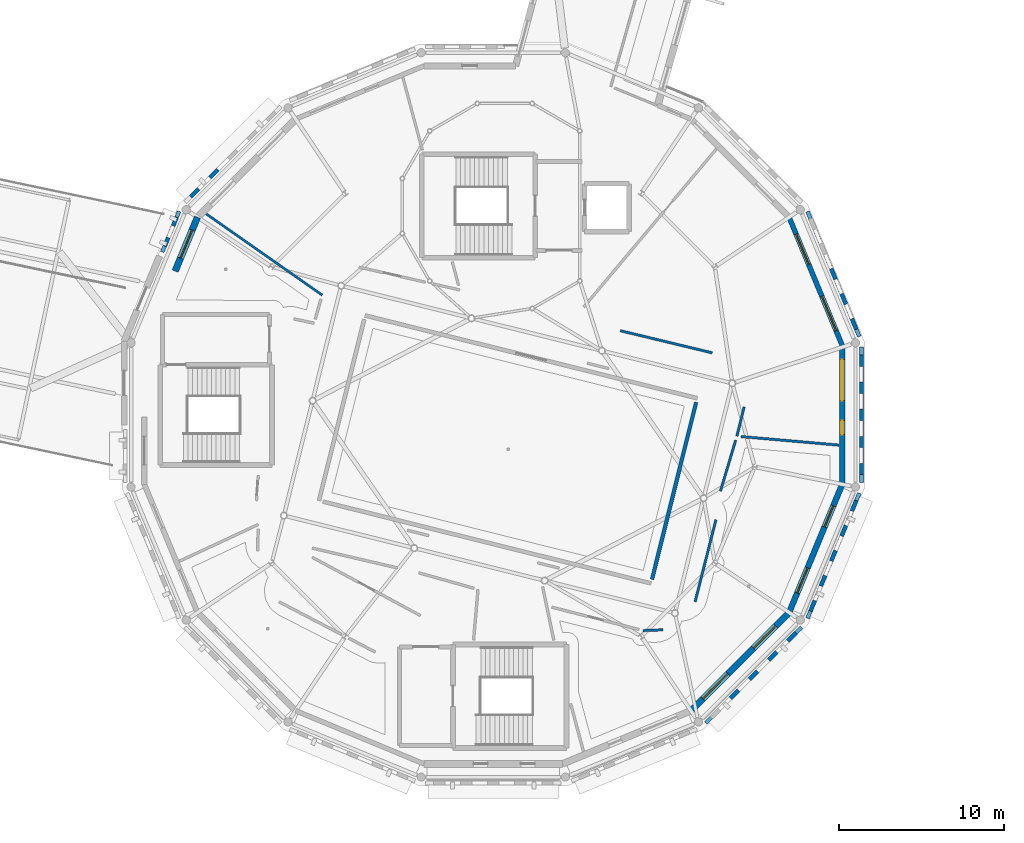
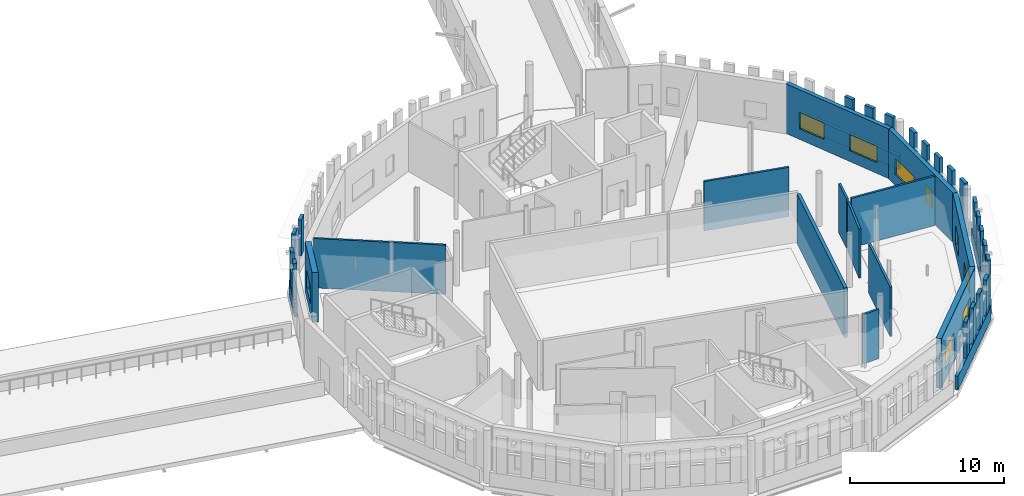
# One storey, part 65 of 90: 39 walls, 9 windows, 9 openings.
"""IFC4 building model written with IfcOpenShell, lengths in metres."""

from ifc_helpers import new_model, si_unit, direction, frame, frame_2d, origin, place, context, subcontext, project, spatial, rectangle, extrude, material, layer, layer_set, type_object, element, fill, save


model = new_model("IFC4")

# Units and contexts
model_context = context("Model", 3, precision=1e-05, world=origin(), true_north=direction((0.0, 1.0)))
body_context = subcontext(model_context, "Body", "Model", "MODEL_VIEW")
ifc_project = project(units=[si_unit("LENGTHUNIT", "METRE"), si_unit("AREAUNIT", "SQUARE_METRE"), si_unit("VOLUMEUNIT", "CUBIC_METRE"), si_unit("PLANEANGLEUNIT", "RADIAN"), si_unit("MASSUNIT", "GRAM", prefix="KILO")], contexts=[model_context])

# Site, building, storey
site_placement = place(None, origin())
site = spatial("IfcSite", under=ifc_project, at=site_placement, CompositionType="ELEMENT")
building_placement = place(site_placement, origin())
building = spatial("IfcBuilding", under=site, at=building_placement, Name="Wrenclough Park School", CompositionType="ELEMENT")
storey_placement = place(building_placement, frame((0.0, 0.0, 8.39990234375)))
storey = spatial("IfcBuildingStorey", under=building, at=storey_placement, Name="L02", CompositionType="ELEMENT", Elevation=8.39990234375)

# Walls
ifc_material_1 = material(Name="Perforated open-bond Staffordshire and Manchester brick screen pier", Category="masonry")
ifc_layer_1 = layer(ifc_material_1, 0.2451171875)
ifc_layer_set_1 = layer_set([ifc_layer_1], Name="Perforated open-bond Staffordshire and Manchester brick screen pier")
wall_type_1 = type_object("IfcWallType", Name="ENV-BS-PR245", PredefinedType="ELEMENTEDWALL", material=ifc_layer_set_1)
wall_1_placement = place(storey_placement, frame((177.566650390625, 31.703369140625, 1.090087890625), z_axis=(0.0, 0.0, 1.0), x_axis=(-0.382934147939, 0.92377564286, 0.0)))
element("IfcWall", 1, at=wall_1_placement, inside=storey, type_object=wall_type_1, Name="D1 L02 perforated brick screen pier 0387", PredefinedType="ELEMENTEDWALL", context=body_context, shape_type="SweptSolid", body=[
    extrude(rectangle(XDim=0.691162109375, YDim=0.2451171875, at=frame_2d((0.345703125, 0.0))), origin(), (0.0, 0.0, 1.0), 2.85009765625),
])
wall_2_placement = place(storey_placement, frame((176.936767578125, 33.22412109375, 1.090087890625), z_axis=(0.0, 0.0, 1.0), x_axis=(-0.382757564877, 0.923848822335, 0.0)))
element("IfcWall", 2, at=wall_2_placement, inside=storey, type_object=wall_type_1, Name="D1 L02 perforated brick screen pier 0388", PredefinedType="ELEMENTEDWALL", context=body_context, shape_type="SweptSolid", body=[
    extrude(rectangle(XDim=0.690673828125, YDim=0.2451171875, at=frame_2d((0.34521484375, 0.0))), origin(), (0.0, 0.0, 1.0), 2.85009765625),
])
for number, where, z_axis, x_axis, name in (
    (3, (176.306884765625, 34.74462890625, 1.090087890625), (0.0, 0.0, 1.0), (-0.38263262807, 0.923900574703, 0.0), "D1 L02 perforated brick screen pier 0389"),
    (4, (138.756591796875, 41.40380859375, 1.090087890625), (0.0, 0.0, 1.0), (-0.707106781187, -0.707106781187, 0.0), "D1 L02 perforated brick screen pier 0408"),
):
    element("IfcWall", number, at=place(storey_placement, frame(where, z_axis=z_axis, x_axis=x_axis)), inside=storey, type_object=wall_type_1, Name=name, PredefinedType="ELEMENTEDWALL", context=body_context, shape_type="SweptSolid", body=[
        extrude(rectangle(XDim=0.69091796875, YDim=0.2451171875, at=frame_2d((0.345458984375, 0.0))), origin(), (0.0, 0.0, 1.0), 2.85009765625),
    ])
wall_3_placement = place(storey_placement, frame((137.593017578125, 40.240234375, 1.090087890625), z_axis=(0.0, 0.0, 1.0), x_axis=(-0.707283403329, -0.706930114916, 0.0)))
element("IfcWall", 5, at=wall_3_placement, inside=storey, type_object=wall_type_1, Name="D1 L02 perforated brick screen pier 0409", PredefinedType="ELEMENTEDWALL", context=body_context, shape_type="SweptSolid", body=[
    extrude(rectangle(XDim=0.691162109375, YDim=0.2451171875, at=frame_2d((0.345703125, 0.0))), origin(), (0.0, 0.0, 1.0), 2.85009765625),
])
wall_4_placement = place(storey_placement, frame((136.251953125, 38.508056640625, 1.090087890625), z_axis=(0.0, 0.0, 1.0), x_axis=(-0.382634050621, -0.923899985553, 0.0)))
element("IfcWall", 6, at=wall_4_placement, inside=storey, type_object=wall_type_1, Name="D1 L02 perforated brick screen pier 0410", PredefinedType="ELEMENTEDWALL", context=body_context, shape_type="SweptSolid", body=[
    extrude(rectangle(XDim=0.560302734375, YDim=0.2451171875, at=frame_2d((0.2802734375, 0.0))), origin(), (0.0, 0.0, 1.0), 2.85009765625),
])
wall_5_placement = place(storey_placement, frame((135.741455078125, 37.275634765625, 1.090087890625), z_axis=(0.0, 0.0, 1.0), x_axis=(-0.382788170111, -0.92383614176, 0.0)))
element("IfcWall", 7, at=wall_5_placement, inside=storey, type_object=wall_type_1, Name="D1 L02 perforated brick screen pier 0411", PredefinedType="ELEMENTEDWALL", context=body_context, shape_type="SweptSolid", body=[
    extrude(rectangle(XDim=0.56005859375, YDim=0.2451171875, at=frame_2d((0.280029296875, 0.0))), origin(), (0.0, 0.0, 1.0), 2.85009765625),
])
wall_6_placement = place(storey_placement, frame((169.91552734375, 9.268310546875, 1.090087890625), z_axis=(0.0, 0.0, 1.0), x_axis=(0.707106781187, 0.707106781187, 0.0)))
element("IfcWall", 8, at=wall_6_placement, inside=storey, type_object=wall_type_1, Name="D1 L02 perforated brick screen pier 0440", PredefinedType="ELEMENTEDWALL", context=body_context, shape_type="SweptSolid", body=[
    extrude(rectangle(XDim=0.69091796875, YDim=0.2451171875, at=frame_2d((0.345458984375, 0.0))), origin(), (0.0, 0.0, 1.0), 2.85009765625),
])
wall_7_placement = place(storey_placement, frame((171.079345703125, 10.431884765625, 1.090087890625), z_axis=(0.0, 0.0, 1.0), x_axis=(0.707106781187, 0.707106781187, 0.0)))
element("IfcWall", 9, at=wall_7_placement, inside=storey, type_object=wall_type_1, Name="D1 L02 perforated brick screen pier 0441", PredefinedType="ELEMENTEDWALL", context=body_context, shape_type="SweptSolid", body=[
    extrude(rectangle(XDim=0.691162109375, YDim=0.2451171875, at=frame_2d((0.345703125, 0.0))), origin(), (0.0, 0.0, 1.0), 2.85009765625),
])
wall_8_placement = place(storey_placement, frame((172.2431640625, 11.595947265625, 1.090087890625), z_axis=(0.0, 0.0, 1.0), x_axis=(0.707106781187, 0.707106781187, 0.0)))
element("IfcWall", 10, at=wall_8_placement, inside=storey, type_object=wall_type_1, Name="D1 L02 perforated brick screen pier 0442", PredefinedType="ELEMENTEDWALL", context=body_context, shape_type="SweptSolid", body=[
    extrude(rectangle(XDim=0.69091796875, YDim=0.2451171875, at=frame_2d((0.345458984375, 0.0))), origin(), (0.0, 0.0, 1.0), 2.85009765625),
])
wall_9_placement = place(storey_placement, frame((173.406982421875, 12.759765625, 1.090087890625), z_axis=(0.0, 0.0, 1.0), x_axis=(0.707283403329, 0.706930114916, 0.0)))
element("IfcWall", 11, at=wall_9_placement, inside=storey, type_object=wall_type_1, Name="D1 L02 perforated brick screen pier 0443", PredefinedType="ELEMENTEDWALL", context=body_context, shape_type="SweptSolid", body=[
    extrude(rectangle(XDim=0.691162109375, YDim=0.2451171875, at=frame_2d((0.345703125, 0.0))), origin(), (0.0, 0.0, 1.0), 2.85009765625),
])
for number, where, z_axis, x_axis, name in (
    (12, (174.78271484375, 14.57568359375, 1.090087890625), (0.0, 0.0, 1.0), (0.38263262807, 0.923900574703, 0.0), "D1 L02 perforated brick screen pier 0444"),
    (13, (175.41259765625, 16.09619140625, 1.090087890625), (0.0, 0.0, 1.0), (0.38263262807, 0.923900574703, 0.0), "D1 L02 perforated brick screen pier 0445"),
    (14, (176.04248046875, 17.616943359375, 1.090087890625), (0.0, 0.0, 1.0), (0.38263262807, 0.923900574703, 0.0), "D1 L02 perforated brick screen pier 0446"),
):
    element("IfcWall", number, at=place(storey_placement, frame(where, z_axis=z_axis, x_axis=x_axis)), inside=storey, type_object=wall_type_1, Name=name, PredefinedType="ELEMENTEDWALL", context=body_context, shape_type="SweptSolid", body=[
        extrude(rectangle(XDim=0.69091796875, YDim=0.2451171875, at=frame_2d((0.345458984375, 0.0))), origin(), (0.0, 0.0, 1.0), 2.85009765625),
    ])
wall_10_placement = place(storey_placement, frame((176.67236328125, 19.1376953125, 1.090087890625), z_axis=(0.0, 0.0, 1.0), x_axis=(0.382757564877, 0.923848822335, 0.0)))
element("IfcWall", 15, at=wall_10_placement, inside=storey, type_object=wall_type_1, Name="D1 L02 perforated brick screen pier 0447", PredefinedType="ELEMENTEDWALL", context=body_context, shape_type="SweptSolid", body=[
    extrude(rectangle(XDim=0.690673828125, YDim=0.2451171875, at=frame_2d((0.34521484375, 0.0))), origin(), (0.0, 0.0, 1.0), 2.85009765625),
])
wall_11_placement = place(storey_placement, frame((177.302001953125, 20.658203125, 1.090087890625), z_axis=(0.0, 0.0, 1.0), x_axis=(0.382934147939, 0.92377564286, 0.0)))
element("IfcWall", 16, at=wall_11_placement, inside=storey, type_object=wall_type_1, Name="D1 L02 perforated brick screen pier 0448", PredefinedType="ELEMENTEDWALL", context=body_context, shape_type="SweptSolid", body=[
    extrude(rectangle(XDim=0.691162109375, YDim=0.2451171875, at=frame_2d((0.345703125, 0.0))), origin(), (0.0, 0.0, 1.0), 2.85009765625),
])
for number, where, z_axis, x_axis, name in (
    (17, (177.878173828125, 22.862548828125, 1.090087890625), (0.0, 0.0, 1.0), (0.0, 1.0, 0.0), "D1 L02 perforated brick screen pier 0449"),
    (18, (177.878173828125, 24.508544921875, 1.090087890625), (0.0, 0.0, 1.0), (0.0, 1.0, 0.0), "D1 L02 perforated brick screen pier 0450"),
    (19, (177.878173828125, 26.154541015625, 1.090087890625), (0.0, 0.0, 1.0), (0.0, 1.0, 0.0), "D1 L02 perforated brick screen pier 0451"),
    (20, (177.878173828125, 27.800537109375, 1.090087890625), (0.0, 0.0, 1.0), (0.0, 1.0, 0.0), "D1 L02 perforated brick screen pier 0452"),
    (21, (177.878173828125, 29.446533203125, 1.090087890625), (0.0, 0.0, 1.0), (0.0, 1.0, 0.0), "D1 L02 perforated brick screen pier 0453"),
):
    element("IfcWall", number, at=place(storey_placement, frame(where, z_axis=z_axis, x_axis=x_axis)), inside=storey, type_object=wall_type_1, Name=name, PredefinedType="ELEMENTEDWALL", context=body_context, shape_type="SweptSolid", body=[
        extrude(rectangle(XDim=0.69091796875, YDim=0.2451171875, at=frame_2d((0.345458984375, 0.0))), origin(), (0.0, 0.0, 1.0), 2.85009765625),
    ])
ifc_material_2 = material(Name="Open-bond Manchester multi-stock brick spandrel screen", Category="masonry")
ifc_layer_2 = layer(ifc_material_2, 0.22509765625)
ifc_layer_set_2 = layer_set([ifc_layer_2], Name="Open-bond Manchester multi-stock brick spandrel screen")
wall_type_2 = type_object("IfcWallType", Name="ENV-BS-SP225", PredefinedType="ELEMENTEDWALL", material=ifc_layer_set_2)
wall_12_placement = place(storey_placement, frame((177.749267578125, 31.26220703125, 0.0), z_axis=(0.0, 0.0, 1.0), x_axis=(-0.382687155267, 0.923877990426, 0.0)))
element("IfcWall", 22, at=wall_12_placement, inside=storey, type_object=wall_type_2, Name="D1 L02 open-bond brick screen spandrel 0109", PredefinedType="ELEMENTEDWALL", context=body_context, shape_type="SweptSolid", body=[
    extrude(rectangle(XDim=8.229736328125, YDim=0.22509765625, at=frame_2d((4.11474609375, 0.0))), origin(), (0.0, 0.0, 1.0), 1.090087890625),
])
wall_13_placement = place(storey_placement, frame((136.400146484375, 38.865478515625, 0.0), z_axis=(0.0, 0.0, 1.0), x_axis=(-0.382691233326, -0.923876301209, 0.0)))
element("IfcWall", 23, at=wall_13_placement, inside=storey, type_object=wall_type_2, Name="D1 L02 open-bond brick screen spandrel 0114", PredefinedType="ELEMENTEDWALL", context=body_context, shape_type="SweptSolid", body=[
    extrude(rectangle(XDim=2.66796875, YDim=0.22509765625, at=frame_2d((1.333984375, 0.0))), origin(), (0.0, 0.0, 1.0), 1.090087890625),
])
for number, where, z_axis, x_axis, name in (
    (24, (168.4140625, 7.7666015625, 0.0), (0.0, 0.0, 1.0), (0.707106781187, 0.707106781187, 0.0), "D1 L02 open-bond brick screen spandrel 0121"),
    (25, (174.599853515625, 14.134521484375, 0.0), (0.0, 0.0, 1.0), (0.382687155267, 0.923877990426, 0.0), "D1 L02 open-bond brick screen spandrel 0122"),
):
    element("IfcWall", number, at=place(storey_placement, frame(where, z_axis=z_axis, x_axis=x_axis)), inside=storey, type_object=wall_type_2, Name=name, PredefinedType="ELEMENTEDWALL", context=body_context, shape_type="SweptSolid", body=[
        extrude(rectangle(XDim=8.229736328125, YDim=0.22509765625, at=frame_2d((4.11474609375, 0.0))), origin(), (0.0, 0.0, 1.0), 1.090087890625),
    ])
wall_14_placement = place(storey_placement, frame((177.878173828125, 22.385009765625, 0.0), z_axis=(0.0, 0.0, 1.0), x_axis=(0.0, 1.0, 0.0)))
element("IfcWall", 26, at=wall_14_placement, inside=storey, type_object=wall_type_2, Name="D1 L02 open-bond brick screen spandrel 0123", PredefinedType="ELEMENTEDWALL", context=body_context, shape_type="SweptSolid", body=[
    extrude(rectangle(XDim=8.22998046875, YDim=0.22509765625, at=frame_2d((4.114990234375, 0.0))), origin(), (0.0, 0.0, 1.0), 1.090087890625),
])

# Wall, openings, windows
ifc_material_3 = material(Name="Manchester multi-stock brick and Concrete C32/40 inner leaf", Category="masonry")
ifc_layer_3 = layer(ifc_material_3, 0.300048828125)
ifc_layer_set_3 = layer_set([ifc_layer_3], Name="Manchester multi-stock brick and Concrete C32/40 inner leaf")
wall_type_3 = type_object("IfcWallType", Name="ENV-EW-300", PredefinedType="SOLIDWALL", material=ifc_layer_set_3)
wall_15_placement = place(storey_placement, frame((173.48291015625, 38.515625, 0.0), z_axis=(0.0, 0.0, 1.0), x_axis=(0.382671186453, -0.923884604839, 0.0)))
wall_15 = element("IfcWall", 27, at=wall_15_placement, inside=storey, type_object=wall_type_3, Name="L02 insulated brick external wall 0200", PredefinedType="SOLIDWALL", context=body_context, shape_type="SweptSolid", body=[
    extrude(rectangle(XDim=8.438720703125, YDim=0.300048828125, at=frame_2d((4.21923828125, 0.0))), origin(), (0.0, 0.0, 1.0), 3.940185546875),
])
opening_1_placement = place(wall_15_placement, frame((1.109619140625, 0.0, 0.85009765625)))
opening_1 = element("IfcOpeningElement", 28, at=opening_1_placement, cuts=wall_15, Name="Opening WN-47", PredefinedType="OPENING", context=body_context, shape_type="SweptSolid", body=[
    extrude(rectangle(XDim=2.0, YDim=1.300048828125, at=frame_2d((1.0, 0.64990234375))), frame((0.0, 0.159912109375, 0.0), z_axis=(0.0, -1.0, 0.0), x_axis=(1.0, 0.0, 0.0)), (0.0, 0.0, 1.0), 0.320068359375),
])
opening_2_placement = place(wall_15_placement, frame((5.2041015625, 0.0, 0.85009765625)))
opening_2 = element("IfcOpeningElement", 29, at=opening_2_placement, cuts=wall_15, Name="Opening WN-48", PredefinedType="OPENING", context=body_context, shape_type="SweptSolid", body=[
    extrude(rectangle(XDim=2.25, YDim=1.300048828125, at=frame_2d((1.125, 0.64990234375))), frame((0.0, 0.159912109375, 0.0), z_axis=(0.0, -1.0, 0.0), x_axis=(1.0, 0.0, 0.0)), (0.0, 0.0, 1.0), 0.320068359375),
])
ifc_material_4 = material(Name="Thermally broken aluminium and double-glazed low-e glass", Category="aluminium")
window_type_1 = type_object("IfcWindowType", Name="ENV-WN-47", PartitioningType="DOUBLE_PANEL_VERTICAL", PredefinedType="WINDOW", material=ifc_material_4)
window_1_placement = place(opening_1_placement, origin())
window_1 = element("IfcWindow", 30, at=window_1_placement, inside=storey, type_object=window_type_1, Name="L02 scheduled facade window 0326", OverallHeight=1.300048828125, OverallWidth=2.0, PartitioningType="SINGLE_PANEL", PredefinedType="WINDOW", context=body_context, shape_type="SweptSolid", body=[
    extrude(rectangle(XDim=2.0, YDim=1.300048828125, at=frame_2d((1.0, 0.64990234375))), frame((0.0, 0.030029296875, 0.0), z_axis=(0.0, -1.0, 0.0), x_axis=(1.0, 0.0, 0.0)), (0.0, 0.0, 1.0), 0.06005859375),
])
fill(opening_1, window_1)
window_type_2 = type_object("IfcWindowType", Name="ENV-WN-48", PartitioningType="DOUBLE_PANEL_VERTICAL", PredefinedType="WINDOW", material=ifc_material_4)
window_2_placement = place(opening_2_placement, origin())
window_2 = element("IfcWindow", 31, at=window_2_placement, inside=storey, type_object=window_type_2, Name="L02 scheduled facade window 0327", OverallHeight=1.300048828125, OverallWidth=2.25, PartitioningType="SINGLE_PANEL", PredefinedType="WINDOW", context=body_context, shape_type="SweptSolid", body=[
    extrude(rectangle(XDim=2.25, YDim=1.300048828125, at=frame_2d((1.125, 0.64990234375))), frame((0.0, 0.030029296875, 0.0), z_axis=(0.0, -1.0, 0.0), x_axis=(1.0, 0.0, 0.0)), (0.0, 0.0, 1.0), 0.06005859375),
])
fill(opening_2, window_2)

ifc_layer_4 = layer(ifc_material_3, 0.324951171875)
ifc_layer_set_4 = layer_set([ifc_layer_4], Name="Manchester multi-stock brick and Concrete C32/40 inner leaf")
wall_type_4 = type_object("IfcWallType", Name="ENV-EW-325", PredefinedType="SOLIDWALL", material=ifc_layer_set_4)
wall_16_placement = place(storey_placement, frame((176.712158203125, 30.71923828125, 0.0), z_axis=(0.0, 0.0, 1.0), x_axis=(0.0, -1.0, 0.0)))
wall_16 = element("IfcWall", 32, at=wall_16_placement, inside=storey, type_object=wall_type_4, Name="L02 insulated brick external wall 0201", PredefinedType="SOLIDWALL", context=body_context, shape_type="SweptSolid", body=[
    extrude(rectangle(XDim=8.4384765625, YDim=0.324951171875, at=frame_2d((4.21923828125, 0.0))), origin(), (0.0, 0.0, 1.0), 3.940185546875),
])
opening_3_placement = place(wall_16_placement, frame((0.859619140625, 0.0, 0.85009765625)))
opening_3 = element("IfcOpeningElement", 33, at=opening_3_placement, cuts=wall_16, Name="Opening WN-49", PredefinedType="OPENING", context=body_context, shape_type="SweptSolid", body=[
    extrude(rectangle(XDim=2.5, YDim=1.300048828125, at=frame_2d((1.25, 0.64990234375))), frame((0.0, 0.17236328125, 0.0), z_axis=(0.0, -1.0, 0.0), x_axis=(1.0, 0.0, 0.0)), (0.0, 0.0, 1.0), 0.344970703125),
])
opening_4_placement = place(wall_16_placement, frame((4.5693359375, 0.0, 0.85009765625)))
opening_4 = element("IfcOpeningElement", 34, at=opening_4_placement, cuts=wall_16, Name="Opening WN-01", PredefinedType="OPENING", context=body_context, shape_type="SweptSolid", body=[
    extrude(rectangle(XDim=0.85009765625, YDim=1.39990234375, at=frame_2d((0.425048828125, 0.699951171875))), frame((0.0, 0.17236328125, 0.0), z_axis=(0.0, -1.0, 0.0), x_axis=(1.0, 0.0, 0.0)), (0.0, 0.0, 1.0), 0.344970703125),
])
window_type_3 = type_object("IfcWindowType", Name="ENV-WN-01", PartitioningType="SINGLE_PANEL", PredefinedType="WINDOW", material=ifc_material_4)
window_3_placement = place(opening_4_placement, origin())
window_3 = element("IfcWindow", 35, at=window_3_placement, inside=storey, type_object=window_type_3, Name="L02 scheduled facade window 0329", OverallHeight=1.39990234375, OverallWidth=0.85009765625, PartitioningType="SINGLE_PANEL", PredefinedType="WINDOW", context=body_context, shape_type="SweptSolid", body=[
    extrude(rectangle(XDim=0.85009765625, YDim=1.39990234375, at=frame_2d((0.425048828125, 0.699951171875))), frame((0.0, 0.030029296875, 0.0), z_axis=(0.0, -1.0, 0.0), x_axis=(1.0, 0.0, 0.0)), (0.0, 0.0, 1.0), 0.06005859375),
])
fill(opening_4, window_3)
window_type_4 = type_object("IfcWindowType", Name="ENV-WN-49", PartitioningType="DOUBLE_PANEL_VERTICAL", PredefinedType="WINDOW", material=ifc_material_4)
window_4_placement = place(opening_3_placement, origin())
window_4 = element("IfcWindow", 36, at=window_4_placement, inside=storey, type_object=window_type_4, Name="L02 scheduled facade window 0328", OverallHeight=1.300048828125, OverallWidth=2.5, PartitioningType="SINGLE_PANEL", PredefinedType="WINDOW", context=body_context, shape_type="SweptSolid", body=[
    extrude(rectangle(XDim=2.5, YDim=1.300048828125, at=frame_2d((1.25, 0.64990234375))), frame((0.0, 0.030029296875, 0.0), z_axis=(0.0, -1.0, 0.0), x_axis=(1.0, 0.0, 0.0)), (0.0, 0.0, 1.0), 0.06005859375),
])
fill(opening_3, window_4)

ifc_material_5 = material(Name="Staffordshire blue-grey brick and Concrete C35/45 inner leaf", Category="masonry")
ifc_layer_5 = layer(ifc_material_5, 0.35009765625)
ifc_layer_set_5 = layer_set([ifc_layer_5], Name="Staffordshire blue-grey brick and Concrete C35/45 inner leaf")
wall_type_5 = type_object("IfcWallType", Name="ENV-EW-350", PredefinedType="SOLIDWALL", material=ifc_layer_set_5)
wall_17_placement = place(storey_placement, frame((176.712158203125, 22.28076171875, 0.0), z_axis=(0.0, 0.0, 1.0), x_axis=(-0.382671186453, -0.923884604839, 0.0)))
wall_17 = element("IfcWall", 37, at=wall_17_placement, inside=storey, type_object=wall_type_5, Name="L02 insulated brick external wall 0202", PredefinedType="SOLIDWALL", context=body_context, shape_type="SweptSolid", body=[
    extrude(rectangle(XDim=8.438720703125, YDim=0.35009765625, at=frame_2d((4.21923828125, 0.0))), origin(), (0.0, 0.0, 1.0), 3.940185546875),
])
opening_5_placement = place(wall_17_placement, frame((1.40966796875, 0.0, 0.85009765625)))
opening_5 = element("IfcOpeningElement", 38, at=opening_5_placement, cuts=wall_17, Name="Opening WN-51", PredefinedType="OPENING", context=body_context, shape_type="SweptSolid", body=[
    extrude(rectangle(XDim=1.39990234375, YDim=1.5, at=frame_2d((0.699951171875, 0.75))), frame((0.0, 0.18505859375, 0.0), z_axis=(0.0, -1.0, 0.0), x_axis=(1.0, 0.0, 0.0)), (0.0, 0.0, 1.0), 0.3701171875),
])
opening_6_placement = place(wall_17_placement, frame((5.50390625, 0.0, 0.85009765625)))
opening_6 = element("IfcOpeningElement", 39, at=opening_6_placement, cuts=wall_17, Name="Opening WN-52", PredefinedType="OPENING", context=body_context, shape_type="SweptSolid", body=[
    extrude(rectangle(XDim=1.64990234375, YDim=1.5, at=frame_2d((0.824951171875, 0.75))), frame((0.0, 0.18505859375, 0.0), z_axis=(0.0, -1.0, 0.0), x_axis=(1.0, 0.0, 0.0)), (0.0, 0.0, 1.0), 0.3701171875),
])
window_type_5 = type_object("IfcWindowType", Name="ENV-WN-51", PartitioningType="SINGLE_PANEL", PredefinedType="WINDOW", material=ifc_material_4)
window_5_placement = place(opening_5_placement, origin())
window_5 = element("IfcWindow", 40, at=window_5_placement, inside=storey, type_object=window_type_5, Name="L02 scheduled facade window 0330", OverallHeight=1.5, OverallWidth=1.39990234375, PartitioningType="SINGLE_PANEL", PredefinedType="WINDOW", context=body_context, shape_type="SweptSolid", body=[
    extrude(rectangle(XDim=1.39990234375, YDim=1.5, at=frame_2d((0.699951171875, 0.75))), frame((0.0, 0.030029296875, 0.0), z_axis=(0.0, -1.0, 0.0), x_axis=(1.0, 0.0, 0.0)), (0.0, 0.0, 1.0), 0.06005859375),
])
fill(opening_5, window_5)
window_type_6 = type_object("IfcWindowType", Name="ENV-WN-52", PartitioningType="DOUBLE_PANEL_VERTICAL", PredefinedType="WINDOW", material=ifc_material_4)
window_6_placement = place(opening_6_placement, origin())
window_6 = element("IfcWindow", 41, at=window_6_placement, inside=storey, type_object=window_type_6, Name="L02 scheduled facade window 0331", OverallHeight=1.5, OverallWidth=1.64990234375, PartitioningType="SINGLE_PANEL", PredefinedType="WINDOW", context=body_context, shape_type="SweptSolid", body=[
    extrude(rectangle(XDim=1.64990234375, YDim=1.5, at=frame_2d((0.824951171875, 0.75))), frame((0.0, 0.030029296875, 0.0), z_axis=(0.0, -1.0, 0.0), x_axis=(1.0, 0.0, 0.0)), (0.0, 0.0, 1.0), 0.06005859375),
])
fill(opening_6, window_6)

ifc_material_6 = material(Name="Manchester multi-stock brick and Concrete C35/45 inner leaf", Category="masonry")
ifc_layer_6 = layer(ifc_material_6, 0.3798828125)
ifc_layer_set_6 = layer_set([ifc_layer_6], Name="Manchester multi-stock brick and Concrete C35/45 inner leaf")
wall_type_6 = type_object("IfcWallType", Name="ENV-EW-380", PredefinedType="SOLIDWALL", material=ifc_layer_set_6)
wall_18_placement = place(storey_placement, frame((173.48291015625, 14.484375, 0.0), z_axis=(0.0, 0.0, 1.0), x_axis=(-0.707106781187, -0.707106781187, 0.0)))
wall_18 = element("IfcWall", 42, at=wall_18_placement, inside=storey, type_object=wall_type_6, Name="L02 insulated brick external wall 0203", PredefinedType="SOLIDWALL", context=body_context, shape_type="SweptSolid", body=[
    extrude(rectangle(XDim=8.43896484375, YDim=0.3798828125, at=frame_2d((4.219482421875, 0.0))), origin(), (0.0, 0.0, 1.0), 3.940185546875),
])
opening_7_placement = place(wall_18_placement, frame((1.15966796875, 0.0, 0.85009765625)))
opening_7 = element("IfcOpeningElement", 43, at=opening_7_placement, cuts=wall_18, Name="Opening WN-53", PredefinedType="OPENING", context=body_context, shape_type="SweptSolid", body=[
    extrude(rectangle(XDim=1.89990234375, YDim=1.5, at=frame_2d((0.949951171875, 0.75))), frame((0.0, 0.199951171875, 0.0), z_axis=(0.0, -1.0, 0.0), x_axis=(1.0, 0.0, 0.0)), (0.0, 0.0, 1.0), 0.39990234375),
])
opening_8_placement = place(wall_18_placement, frame((5.254150390625, 0.0, 0.85009765625)))
opening_8 = element("IfcOpeningElement", 44, at=opening_8_placement, cuts=wall_18, Name="Opening WN-54", PredefinedType="OPENING", context=body_context, shape_type="SweptSolid", body=[
    extrude(rectangle(XDim=2.14990234375, YDim=1.5, at=frame_2d((1.074951171875, 0.75))), frame((0.0, 0.199951171875, 0.0), z_axis=(0.0, -1.0, 0.0), x_axis=(1.0, 0.0, 0.0)), (0.0, 0.0, 1.0), 0.39990234375),
])
window_type_7 = type_object("IfcWindowType", Name="ENV-WN-53", PartitioningType="DOUBLE_PANEL_VERTICAL", PredefinedType="WINDOW", material=ifc_material_4)
window_7_placement = place(opening_7_placement, origin())
window_7 = element("IfcWindow", 45, at=window_7_placement, inside=storey, type_object=window_type_7, Name="L02 scheduled facade window 0332", OverallHeight=1.5, OverallWidth=1.89990234375, PartitioningType="SINGLE_PANEL", PredefinedType="WINDOW", context=body_context, shape_type="SweptSolid", body=[
    extrude(rectangle(XDim=1.89990234375, YDim=1.5, at=frame_2d((0.949951171875, 0.75))), frame((0.0, 0.030029296875, 0.0), z_axis=(0.0, -1.0, 0.0), x_axis=(1.0, 0.0, 0.0)), (0.0, 0.0, 1.0), 0.06005859375),
])
fill(opening_7, window_7)
window_type_8 = type_object("IfcWindowType", Name="ENV-WN-54", PartitioningType="DOUBLE_PANEL_VERTICAL", PredefinedType="WINDOW", material=ifc_material_4)
window_8_placement = place(opening_8_placement, origin())
window_8 = element("IfcWindow", 46, at=window_8_placement, inside=storey, type_object=window_type_8, Name="L02 scheduled facade window 0333", OverallHeight=1.5, OverallWidth=2.14990234375, PartitioningType="SINGLE_PANEL", PredefinedType="WINDOW", context=body_context, shape_type="SweptSolid", body=[
    extrude(rectangle(XDim=2.14990234375, YDim=1.5, at=frame_2d((1.074951171875, 0.75))), frame((0.0, 0.030029296875, 0.0), z_axis=(0.0, -1.0, 0.0), x_axis=(1.0, 0.0, 0.0)), (0.0, 0.0, 1.0), 0.06005859375),
])
fill(opening_8, window_8)

# Wall, opening, window
ifc_material_7 = material(Name="Staffordshire blue-grey brick and Concrete C40/50 acoustic leaf", Category="masonry")
ifc_layer_7 = layer(ifc_material_7, 0.39990234375)
ifc_layer_set_7 = layer_set([ifc_layer_7], Name="Staffordshire blue-grey brick and Concrete C40/50 acoustic leaf")
wall_type_7 = type_object("IfcWallType", Name="ENV-EW-400", PredefinedType="SOLIDWALL", material=ifc_layer_set_7)
wall_19_placement = place(storey_placement, frame((136.15966796875, 35.238037109375, 0.0), z_axis=(0.0, 0.0, 1.0), x_axis=(0.382635436082, 0.923899411762, 0.0)))
wall_19 = element("IfcWall", 47, at=wall_19_placement, inside=storey, type_object=wall_type_7, Name="L02 insulated brick external wall 0212", PredefinedType="SOLIDWALL", context=body_context, shape_type="SweptSolid", body=[
    extrude(rectangle(XDim=3.547607421875, YDim=0.39990234375, at=frame_2d((1.77392578125, 0.0))), origin(), (0.0, 0.0, 1.0), 3.940185546875),
])
opening_9_placement = place(wall_19_placement, frame((0.848876953125, 0.0, 0.85009765625)))
opening_9 = element("IfcOpeningElement", 48, at=opening_9_placement, cuts=wall_19, Name="Opening WN-08", PredefinedType="OPENING", context=body_context, shape_type="SweptSolid", body=[
    extrude(rectangle(XDim=1.85009765625, YDim=1.39990234375, at=frame_2d((0.925048828125, 0.699951171875))), frame((0.0, 0.2099609375, 0.0), z_axis=(0.0, -1.0, 0.0), x_axis=(1.0, 0.0, 0.0)), (0.0, 0.0, 1.0), 0.419921875),
])
window_type_9 = type_object("IfcWindowType", Name="ENV-WN-08", PartitioningType="DOUBLE_PANEL_VERTICAL", PredefinedType="WINDOW", material=ifc_material_4)
window_9_placement = place(opening_9_placement, origin())
window_9 = element("IfcWindow", 49, at=window_9_placement, inside=storey, type_object=window_type_9, Name="L02 scheduled facade window 0343", OverallHeight=1.39990234375, OverallWidth=1.85009765625, PartitioningType="SINGLE_PANEL", PredefinedType="WINDOW", context=body_context, shape_type="SweptSolid", body=[
    extrude(rectangle(XDim=1.85009765625, YDim=1.39990234375, at=frame_2d((0.925048828125, 0.699951171875))), frame((0.0, 0.030029296875, 0.0), z_axis=(0.0, -1.0, 0.0), x_axis=(1.0, 0.0, 0.0)), (0.0, 0.0, 1.0), 0.06005859375),
])
fill(opening_9, window_9)

# Walls
ifc_material_8 = material(Name="Protected corridor partition", Category="gypsum")
ifc_layer_8 = layer(ifc_material_8, 0.14990234375)
ifc_layer_set_8 = layer_set([ifc_layer_8], Name="Protected corridor partition")
wall_type_8 = type_object("IfcWallType", Name="INT-PW-150", PredefinedType="PARTITIONING", material=ifc_layer_set_8)
wall_20_placement = place(storey_placement, frame((170.75146484375, 26.984130859375, 0.0), z_axis=(0.0, 0.0, 1.0), x_axis=(-0.241877803241, -0.970306718672, 0.0)))
element("IfcWall", 50, at=wall_20_placement, inside=storey, type_object=wall_type_8, Name="L02 internal partition 0316", PredefinedType="PARTITIONING", context=body_context, shape_type="SweptSolid", body=[
    extrude(rectangle(XDim=1.833984375, YDim=0.14990234375, at=frame_2d((0.9169921875, 0.0))), origin(), (0.0, 0.0, 1.0), 3.9150390625),
])
wall_21_placement = place(storey_placement, frame((170.56005859375, 25.182373046875, 0.0), z_axis=(0.0, 0.0, 1.0), x_axis=(0.996196239887, -0.087138118155, 0.0)))
element("IfcWall", 51, at=wall_21_placement, inside=storey, type_object=wall_type_8, Name="L02 internal partition 0317", PredefinedType="PARTITIONING", context=body_context, shape_type="SweptSolid", body=[
    extrude(rectangle(XDim=5.9873046875, YDim=0.14990234375, at=frame_2d((2.99365234375, 0.0))), origin(), (0.0, 0.0, 1.0), 3.9150390625),
])
wall_22_placement = place(storey_placement, frame((163.219482421875, 31.617431640625, 0.0), z_axis=(0.0, 0.0, 1.0), x_axis=(0.972202891844, -0.23413999464, 0.0)))
element("IfcWall", 52, at=wall_22_placement, inside=storey, type_object=wall_type_8, Name="L02 internal partition 0320", PredefinedType="PARTITIONING", context=body_context, shape_type="SweptSolid", body=[
    extrude(rectangle(XDim=5.753662109375, YDim=0.14990234375, at=frame_2d((2.876953125, 0.0))), origin(), (0.0, 0.0, 1.0), 3.9150390625),
])
wall_23_placement = place(storey_placement, frame((170.237060546875, 24.965087890625, 0.0), z_axis=(0.0, 0.0, 1.0), x_axis=(-0.286857165311, -0.957973364301, 0.0)))
element("IfcWall", 53, at=wall_23_placement, inside=storey, type_object=wall_type_8, Name="L02 internal partition 0323", PredefinedType="PARTITIONING", context=body_context, shape_type="SweptSolid", body=[
    extrude(rectangle(XDim=3.240966796875, YDim=0.14990234375, at=frame_2d((1.62060546875, 0.0))), origin(), (0.0, 0.0, 1.0), 3.9150390625),
])
wall_24_placement = place(storey_placement, frame((169.034423828125, 20.122802734375, 0.0), z_axis=(0.0, 0.0, 1.0), x_axis=(-0.246255844253, -0.969204859238, 0.0)))
element("IfcWall", 54, at=wall_24_placement, inside=storey, type_object=wall_type_8, Name="L02 internal partition 0324", PredefinedType="PARTITIONING", context=body_context, shape_type="SweptSolid", body=[
    extrude(rectangle(XDim=5.139404296875, YDim=0.14990234375, at=frame_2d((2.56982421875, 0.0))), origin(), (0.0, 0.0, 1.0), 3.9150390625),
])
wall_25_placement = place(storey_placement, frame((165.810546875, 13.43408203125, 0.0), z_axis=(0.0, 0.0, 1.0), x_axis=(-0.999280227391, -0.037934511271, 0.0)))
element("IfcWall", 55, at=wall_25_placement, inside=storey, type_object=wall_type_8, Name="L02 internal partition 0325", PredefinedType="PARTITIONING", context=body_context, shape_type="SweptSolid", body=[
    extrude(rectangle(XDim=1.20361328125, YDim=0.14990234375, at=frame_2d((0.601806640625, 0.0))), origin(), (0.0, 0.0, 1.0), 3.9150390625),
])
ifc_material_9 = material(Name="Twin-frame acoustic gypsum board 60 dB Rw", Category="gypsum")
ifc_layer_9 = layer(ifc_material_9, 0.22509765625)
ifc_layer_set_9 = layer_set([ifc_layer_9], Name="Twin-frame acoustic gypsum board 60 dB Rw")
wall_type_9 = type_object("IfcWallType", Name="INT-PW-225", PredefinedType="PARTITIONING", material=ifc_layer_set_9)
wall_26_placement = place(storey_placement, frame((165.1484375, 16.498779296875, 0.0), z_axis=(0.0, 0.0, 1.0), x_axis=(0.241919724519, 0.970296267585, 0.0)))
element("IfcWall", 56, at=wall_26_placement, inside=storey, type_object=wall_type_9, Name="L02 internal partition 0306", PredefinedType="PARTITIONING", context=body_context, shape_type="SweptSolid", body=[
    extrude(rectangle(XDim=11.099853515625, YDim=0.22509765625, at=frame_2d((5.5498046875, 0.0))), origin(), (0.0, 0.0, 1.0), 3.9501953125),
])
ifc_material_10 = material(Name="Moisture-resistant sanitary service wall", Category="gypsum")
ifc_layer_10 = layer(ifc_material_10, 0.139892578125)
ifc_layer_set_10 = layer_set([ifc_layer_10], Name="Moisture-resistant sanitary service wall")
wall_type_10 = type_object("IfcWallType", Name="INT-SV-140", PredefinedType="PLUMBINGWALL", material=ifc_layer_set_10)
wall_27_placement = place(storey_placement, frame((138.0537109375, 38.716064453125, 0.0), z_axis=(0.0, 0.0, 1.0), x_axis=(0.819154641776, -0.573572726738, 0.0)))
element("IfcWall", 57, at=wall_27_placement, inside=storey, type_object=wall_type_10, Name="L02 internal partition 0332", PredefinedType="PLUMBINGWALL", context=body_context, shape_type="SweptSolid", body=[
    extrude(rectangle(XDim=8.609130859375, YDim=0.139892578125, at=frame_2d((4.3046875, 0.0))), origin(), (0.0, 0.0, 1.0), 3.9150390625),
])

save(model, "model.ifc")
